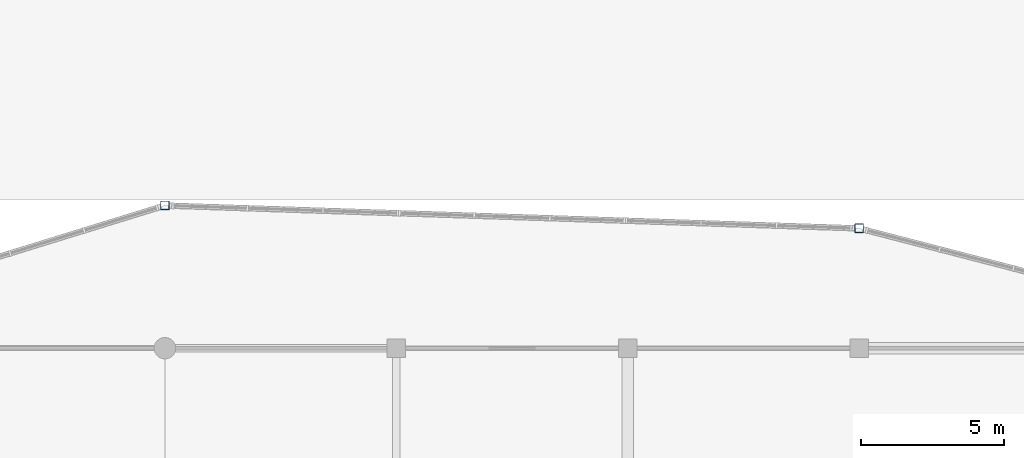
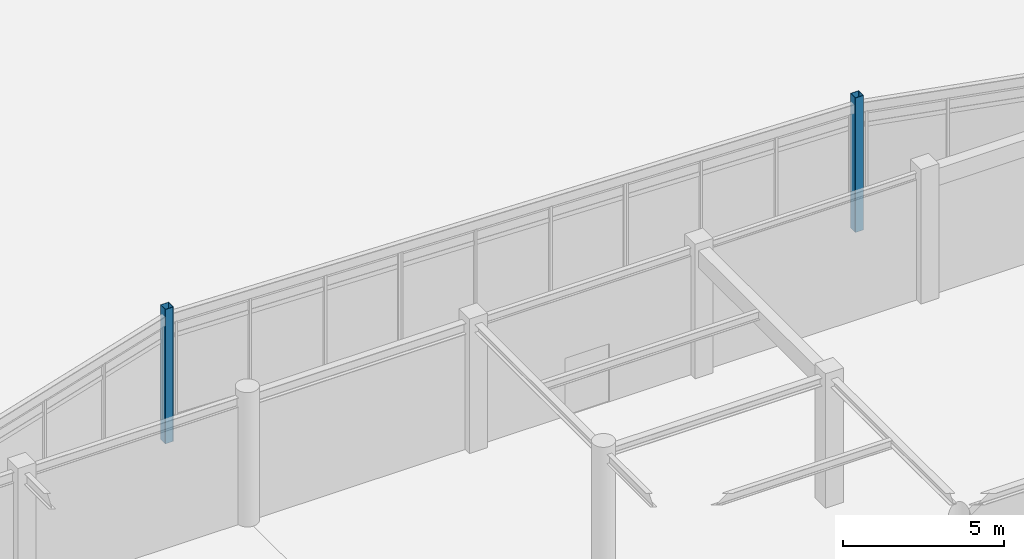
# One storey, part 11 of 99: 2 columns.
"""IFC4 building model written with IfcOpenShell, lengths in metres."""

from ifc_helpers import new_model, si_unit, direction, frame, origin, origin_2d, place, context, subcontext, project, spatial, hollow_rectangle, extrude, material, material_profile, profile_set, type_object, element, save


model = new_model("IFC4")

# Units and contexts
model_context = context("Model", 3, precision=1e-05, world=origin(), true_north=direction((0.0, 1.0)))
body_context = subcontext(model_context, "Body", "Model", "MODEL_VIEW")
ifc_project = project(units=[si_unit("LENGTHUNIT", "METRE"), si_unit("AREAUNIT", "SQUARE_METRE"), si_unit("VOLUMEUNIT", "CUBIC_METRE"), si_unit("PLANEANGLEUNIT", "RADIAN"), si_unit("MASSUNIT", "GRAM", prefix="KILO")], contexts=[model_context])

# Site, building, storey
site_placement = place(None, origin())
site = spatial("IfcSite", under=ifc_project, at=site_placement, CompositionType="ELEMENT")
building_placement = place(site_placement, origin())
building = spatial("IfcBuilding", under=site, at=building_placement, Name="Vaudrelin Polytechnic", CompositionType="ELEMENT")
storey_placement = place(building_placement, origin())
storey = spatial("IfcBuildingStorey", under=building, at=storey_placement, Name="L00", CompositionType="ELEMENT", Elevation=0.0)

# Columns
ifc_material = material(Name="Steel CSA G40.21 350WT", Category="steel")
ifc_material_profile = material_profile(ifc_material, hollow_rectangle(XDim=0.304931640625, YDim=0.304931640625, WallThickness=0.0126953125, InnerFilletRadius=0.0126953125, OuterFilletRadius=0.025390625, at=origin_2d()), Name="HSS305x305x12.7")
ifc_profile_set = profile_set([ifc_material_profile], Name="Steel CSA G40.21 350WT")
column_type = type_object("IfcColumnType", Name="COL-C-HSS305", PredefinedType="COLUMN", material=ifc_profile_set)
for number, where, z_axis, x_axis, name in (
    (1, (72.89990234375, 53.60009765625, 0.0), (0.0, 0.0, 1.0), (1.0, 0.0, 0.0), "Deconstructivist column L00 CT_OR1_1"),
    (2, (97.199951171875, 52.800048828125, 0.0), (0.0, 0.0, 1.0), (1.0, 0.0, 0.0), "Deconstructivist column L00 CT_OR1_2"),
):
    element("IfcColumn", number, at=place(storey_placement, frame(where, z_axis=z_axis, x_axis=x_axis)), inside=storey, type_object=column_type, Name=name, PredefinedType="COLUMN", context=body_context, shape_type="SweptSolid", body=[
        extrude(hollow_rectangle(XDim=0.304931640625, YDim=0.304931640625, WallThickness=0.0126953125, InnerFilletRadius=0.0126953125, OuterFilletRadius=0.025390625, at=origin_2d()), origin(), (0.0, 0.0, 1.0), 5.10009765625),
    ])

save(model, "model.ifc")
